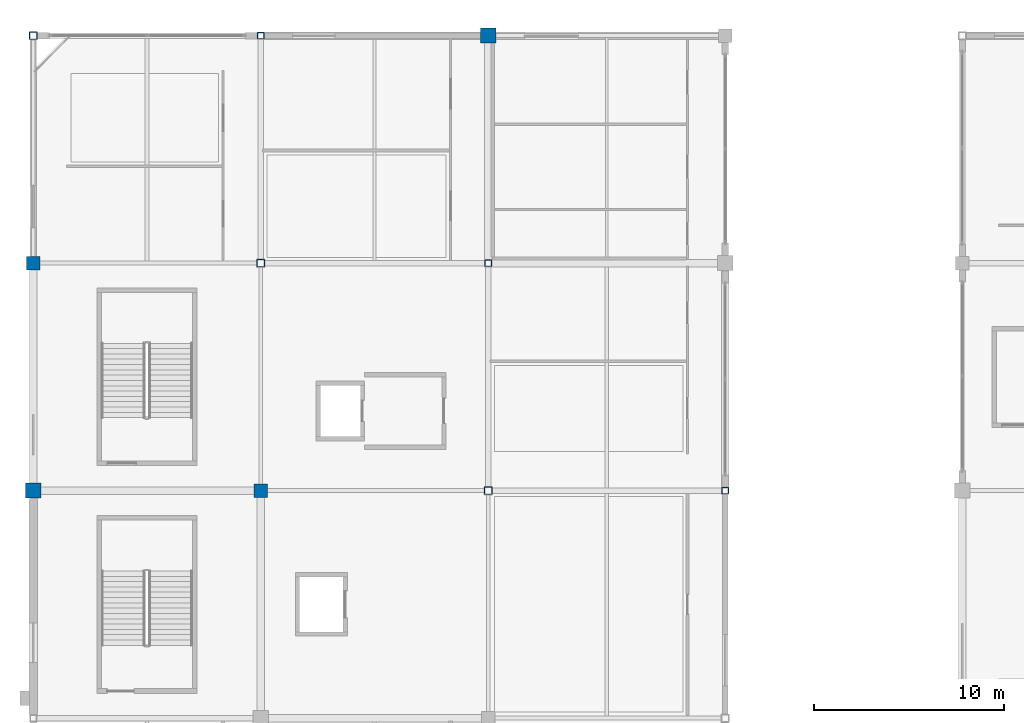
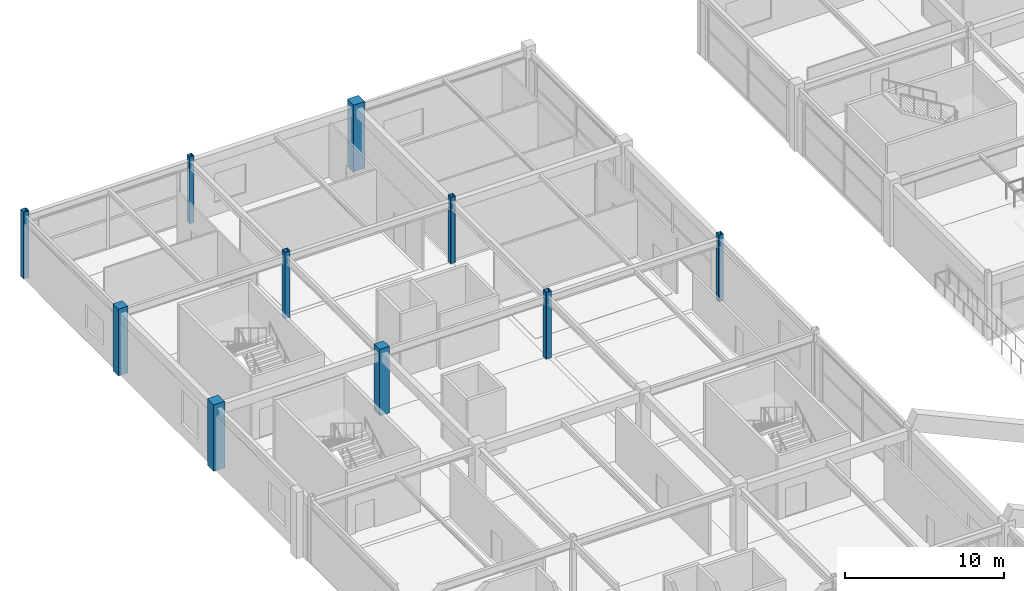
# One storey, part 19 of 128: 10 columns.
"""IFC4 building model written with IfcOpenShell, lengths in metres."""

from ifc_helpers import new_model, si_unit, direction, frame, origin, origin_2d, place, context, subcontext, project, spatial, rectangle, hollow_rectangle, extrude, material, material_profile, profile_set, type_object, element, save


model = new_model("IFC4")

# Units and contexts
model_context = context("Model", 3, precision=1e-05, world=origin(), true_north=direction((0.0, 1.0)))
body_context = subcontext(model_context, "Body", "Model", "MODEL_VIEW")
ifc_project = project(units=[si_unit("LENGTHUNIT", "METRE"), si_unit("AREAUNIT", "SQUARE_METRE"), si_unit("VOLUMEUNIT", "CUBIC_METRE"), si_unit("PLANEANGLEUNIT", "RADIAN"), si_unit("MASSUNIT", "GRAM", prefix="KILO")], contexts=[model_context])

# Site, building, storey
site_placement = place(None, origin())
site = spatial("IfcSite", under=ifc_project, at=site_placement, CompositionType="ELEMENT")
building_placement = place(site_placement, origin())
building = spatial("IfcBuilding", under=site, at=building_placement, Name="Kazenohara Klinker Stadium", CompositionType="ELEMENT")
storey_placement = place(building_placement, frame((0.0, 0.0, 15.300048828125)))
storey = spatial("IfcBuildingStorey", under=building, at=storey_placement, Name="L03", CompositionType="ELEMENT", Elevation=15.300048828125)

# Columns
ifc_material_1 = material(Name="Concrete C40/50", Category="concrete")
ifc_material_profile_1 = material_profile(ifc_material_1, rectangle(XDim=0.800048828125, YDim=0.800048828125, at=origin_2d()), Name="RC-COL-800x800")
ifc_profile_set_1 = profile_set([ifc_material_profile_1], Name="Concrete C40/50")
column_type_1 = type_object("IfcColumnType", Name="COL-RC05", PredefinedType="COLUMN", material=ifc_profile_set_1)
for number, where, z_axis, x_axis, name in (
    (1, (0.0, 144.0, 0.0), (0.0, 0.0, 1.0), (1.0, 0.0, 0.0), "Column C05 L03 1/N"),
    (2, (24.0, 168.0, 0.0), (0.0, 0.0, 1.0), (1.0, 0.0, 0.0), "Column C05 L03 3/Q"),
):
    element("IfcColumn", number, at=place(storey_placement, frame(where, z_axis=z_axis, x_axis=x_axis)), inside=storey, type_object=column_type_1, Name=name, PredefinedType="COLUMN", context=body_context, shape_type="SweptSolid", body=[
        extrude(rectangle(XDim=0.800048828125, YDim=0.800048828125, at=origin_2d()), origin(), (0.0, 0.0, 1.0), 5.099853515625),
    ])
ifc_material_profile_2 = material_profile(ifc_material_1, rectangle(XDim=0.699951171875, YDim=0.699951171875, at=origin_2d()), Name="RC-COL-700x700")
ifc_profile_set_2 = profile_set([ifc_material_profile_2], Name="Concrete C40/50")
column_type_2 = type_object("IfcColumnType", Name="COL-RC06", PredefinedType="COLUMN", material=ifc_profile_set_2)
for number, where, z_axis, x_axis, name in (
    (3, (0.0, 156.0, 0.0), (0.0, 0.0, 1.0), (1.0, 0.0, 0.0), "Column C06 L03 1/P"),
    (4, (12.0, 144.0, 0.0), (0.0, 0.0, 1.0), (1.0, 0.0, 0.0), "Column C06 L03 2/N"),
):
    element("IfcColumn", number, at=place(storey_placement, frame(where, z_axis=z_axis, x_axis=x_axis)), inside=storey, type_object=column_type_2, Name=name, PredefinedType="COLUMN", context=body_context, shape_type="SweptSolid", body=[
        extrude(rectangle(XDim=0.699951171875, YDim=0.699951171875, at=origin_2d()), origin(), (0.0, 0.0, 1.0), 5.099853515625),
    ])
ifc_material_2 = material(Name="Steel S355", Category="steel")
ifc_material_profile_3 = material_profile(ifc_material_2, hollow_rectangle(XDim=0.39990234375, YDim=0.39990234375, WallThickness=0.01611328125, InnerFilletRadius=0.01611328125, OuterFilletRadius=0.031982421875, at=origin_2d()), Name="SHS-400x400x16")
ifc_profile_set_3 = profile_set([ifc_material_profile_3], Name="Steel S355")
column_type_3 = type_object("IfcColumnType", Name="COL-ST01", PredefinedType="COLUMN", material=ifc_profile_set_3)
for number, where, z_axis, x_axis, name in (
    (5, (0.0, 168.0, 0.0), (0.0, 0.0, 1.0), (1.0, 0.0, 0.0), "Column SC01 L03 1/Q"),
    (6, (12.0, 156.0, 0.0), (0.0, 0.0, 1.0), (1.0, 0.0, 0.0), "Column SC01 L03 2/P"),
    (7, (24.0, 144.0, 0.0), (0.0, 0.0, 1.0), (1.0, 0.0, 0.0), "Column SC01 L03 3/N"),
):
    element("IfcColumn", number, at=place(storey_placement, frame(where, z_axis=z_axis, x_axis=x_axis)), inside=storey, type_object=column_type_3, Name=name, PredefinedType="COLUMN", context=body_context, shape_type="SweptSolid", body=[
        extrude(hollow_rectangle(XDim=0.39990234375, YDim=0.39990234375, WallThickness=0.01611328125, InnerFilletRadius=0.01611328125, OuterFilletRadius=0.031982421875, at=origin_2d()), origin(), (0.0, 0.0, 1.0), 5.099853515625),
    ])
ifc_material_profile_4 = material_profile(ifc_material_2, hollow_rectangle(XDim=0.35009765625, YDim=0.35009765625, WallThickness=0.01611328125, InnerFilletRadius=0.01611328125, OuterFilletRadius=0.031982421875, at=origin_2d()), Name="SHS-350x350x16")
ifc_profile_set_4 = profile_set([ifc_material_profile_4], Name="Steel S355")
column_type_4 = type_object("IfcColumnType", Name="COL-ST02", PredefinedType="COLUMN", material=ifc_profile_set_4)
for number, where, z_axis, x_axis, name in (
    (8, (12.0, 168.0, 0.0), (0.0, 0.0, 1.0), (1.0, 0.0, 0.0), "Column SC02 L03 2/Q"),
    (9, (24.0, 156.0, 0.0), (0.0, 0.0, 1.0), (1.0, 0.0, 0.0), "Column SC02 L03 3/P"),
    (10, (36.5, 144.0, 0.0), (0.0, 0.0, 1.0), (1.0, 0.0, 0.0), "Column SC02 L03 4/N"),
):
    element("IfcColumn", number, at=place(storey_placement, frame(where, z_axis=z_axis, x_axis=x_axis)), inside=storey, type_object=column_type_4, Name=name, PredefinedType="COLUMN", context=body_context, shape_type="SweptSolid", body=[
        extrude(hollow_rectangle(XDim=0.35009765625, YDim=0.35009765625, WallThickness=0.01611328125, InnerFilletRadius=0.01611328125, OuterFilletRadius=0.031982421875, at=origin_2d()), origin(), (0.0, 0.0, 1.0), 5.099853515625),
    ])

save(model, "model.ifc")
